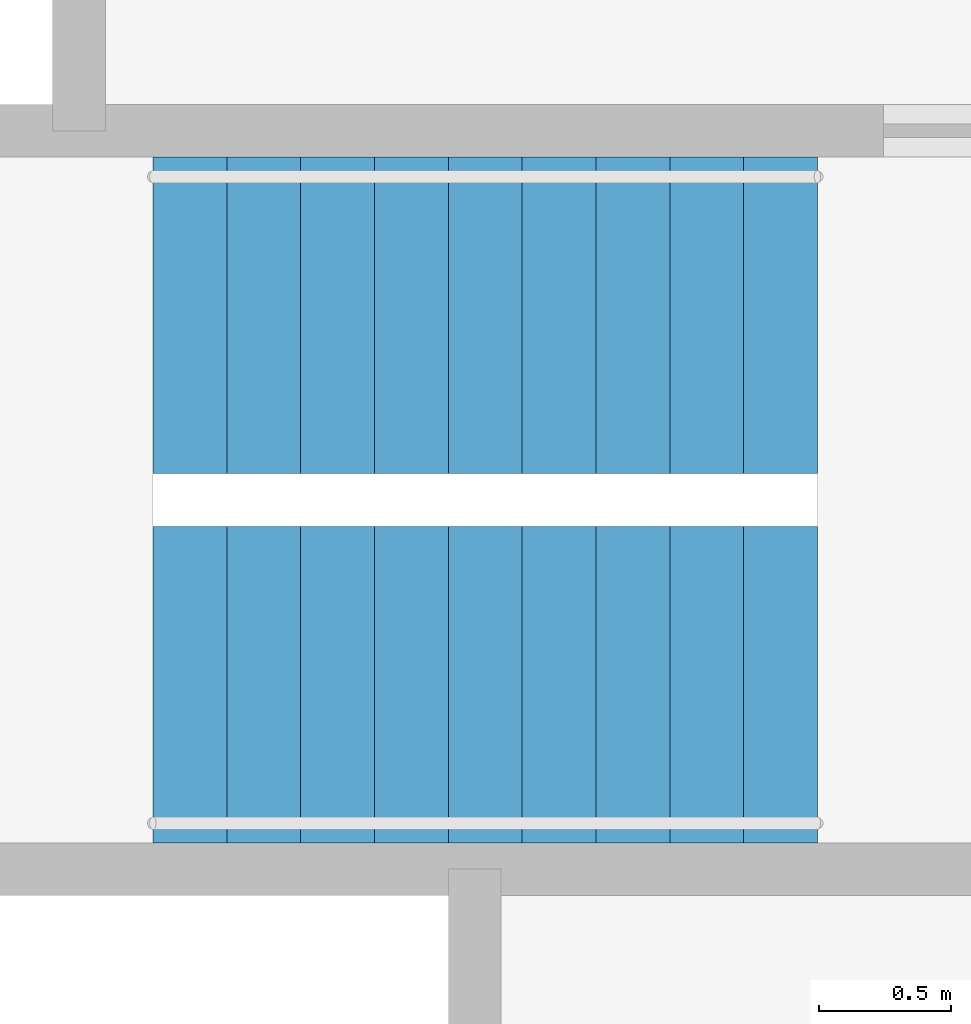
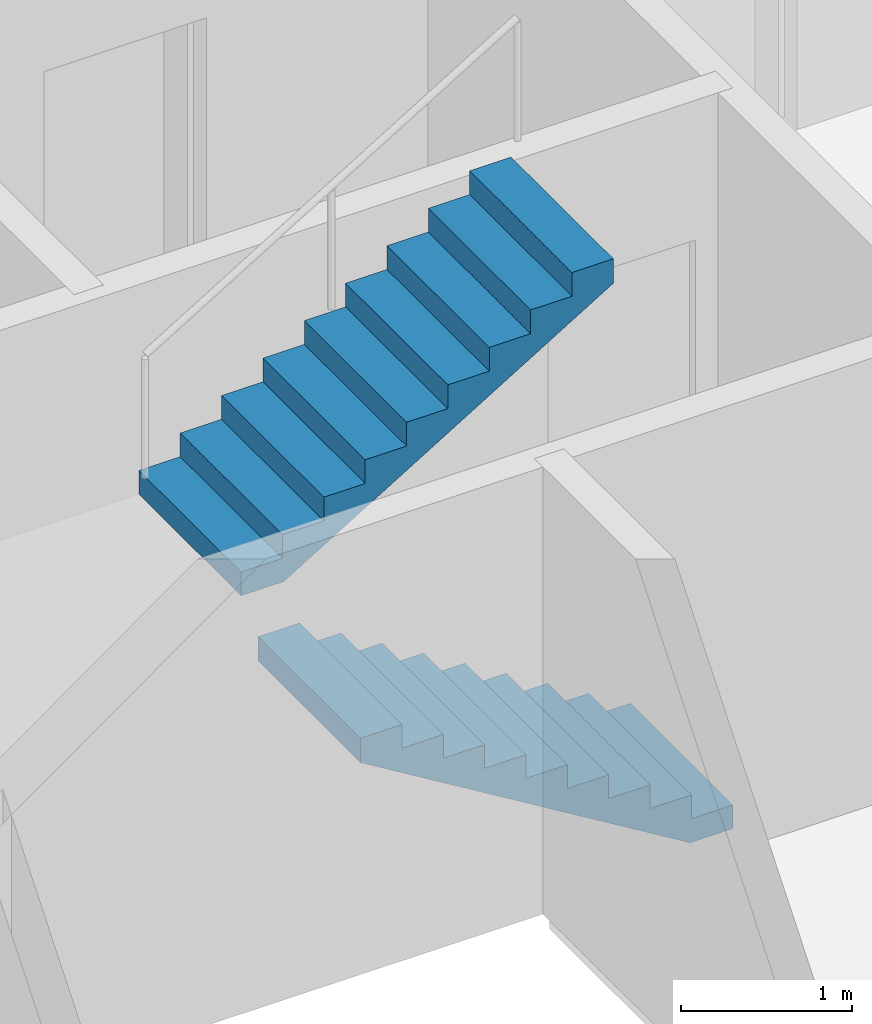
# One storey, part 16 of 20: 2 stair flights, 1 element without a shape of its own.
"""IFC4 building model written with IfcOpenShell, lengths in metres."""

from ifc_helpers import new_model, si_unit, direction, frame, origin, place, context, subcontext, project, spatial, polyline, outline, extrude, material, type_object, element, aggregate, save


model = new_model("IFC4")

# Units and contexts
model_context = context("Model", 3, precision=1e-05, world=origin(), true_north=direction((0.0, 1.0)))
body_context = subcontext(model_context, "Body", "Model", "MODEL_VIEW")
ifc_project = project(units=[si_unit("LENGTHUNIT", "METRE"), si_unit("AREAUNIT", "SQUARE_METRE"), si_unit("VOLUMEUNIT", "CUBIC_METRE"), si_unit("PLANEANGLEUNIT", "RADIAN"), si_unit("MASSUNIT", "GRAM", prefix="KILO")], contexts=[model_context])

# Site, building, storey
site_placement = place(None, origin())
site = spatial("IfcSite", under=ifc_project, at=site_placement, CompositionType="ELEMENT")
building_placement = place(site_placement, origin())
building = spatial("IfcBuilding", under=site, at=building_placement, Name="Fenwick Lantern Interchange", CompositionType="ELEMENT")
storey_placement = place(building_placement, frame((0.0, 0.0, 245.800048828125)))
storey = spatial("IfcBuildingStorey", under=building, at=storey_placement, Name="L57", CompositionType="ELEMENT", Elevation=245.800048828125)

# Stair, stair flights
ifc_material = material(Name="Precast concrete f'c 35 MPa", Category="concrete")
stair_type = type_object("IfcStairType", Name="EXIT STAIR 1200", PredefinedType="HALF_TURN_STAIR", material=ifc_material)
stair_placement = place(storey_placement, origin())
stair = element("IfcStair", 1, at=stair_placement, inside=storey, type_object=stair_type, Name="Exit stair ST2", PredefinedType="HALF_TURN_STAIR")
stair_flight_type = type_object("IfcStairFlightType", Name="STAIR FLIGHT 1200", PredefinedType="STRAIGHT", material=ifc_material)
stair_flight_1_placement = place(storey_placement, frame((28.199951171875, 30.699951171875, 0.0), z_axis=(0.0, 0.0, 1.0), x_axis=(-1.0, 0.0, 0.0)))
stair_flight_1 = element("IfcStairFlight", 2, at=stair_flight_1_placement, type_object=stair_flight_type, Name="ST2 flight 1", NumberOfRisers=10, NumberOfTreads=9, PredefinedType="STRAIGHT", RiserHeight=0.17, TreadLength=0.28, context=body_context, shape_type="SweptSolid", body=[
    extrude(outline(polyline([(0.0, 0.0), (0.0, 0.169921875), (0.280029296875, 0.169921875), (0.280029296875, 0.340087890625), (0.56005859375, 0.340087890625), (0.56005859375, 0.510009765625), (0.840087890625, 0.510009765625), (0.840087890625, 0.679931640625), (1.1201171875, 0.679931640625), (1.1201171875, 0.85009765625), (1.39990234375, 0.85009765625), (1.39990234375, 1.02001953125), (1.679931640625, 1.02001953125), (1.679931640625, 1.18994140625), (1.9599609375, 1.18994140625), (1.9599609375, 1.360107421875), (2.239990234375, 1.360107421875), (2.239990234375, 1.530029296875), (2.52001953125, 1.530029296875), (2.52001953125, 1.699951171875), (2.52001953125, 1.354736328125), (0.288818359375, 0.0), (0.0, 0.0)])), frame((0.0, 0.60009765625, 0.0), z_axis=(0.0, -1.0, 0.0), x_axis=(1.0, 0.0, 0.0)), (0.0, 0.0, 1.0), 1.199951171875),
])
stair_flight_2_placement = place(storey_placement, frame((25.679931640625, 32.10009765625, 1.699951171875), z_axis=(0.0, 0.0, 1.0), x_axis=(1.0, 0.0, 0.0)))
stair_flight_2 = element("IfcStairFlight", 3, at=stair_flight_2_placement, type_object=stair_flight_type, Name="ST2 flight 2", NumberOfRisers=10, NumberOfTreads=9, PredefinedType="STRAIGHT", RiserHeight=0.17, TreadLength=0.28, context=body_context, shape_type="SweptSolid", body=[
    extrude(outline(polyline([(0.0, 0.0), (0.0, 0.169921875), (0.280029296875, 0.169921875), (0.280029296875, 0.340087890625), (0.56005859375, 0.340087890625), (0.56005859375, 0.510009765625), (0.840087890625, 0.510009765625), (0.840087890625, 0.679931640625), (1.1201171875, 0.679931640625), (1.1201171875, 0.85009765625), (1.39990234375, 0.85009765625), (1.39990234375, 1.02001953125), (1.679931640625, 1.02001953125), (1.679931640625, 1.18994140625), (1.9599609375, 1.18994140625), (1.9599609375, 1.360107421875), (2.239990234375, 1.360107421875), (2.239990234375, 1.530029296875), (2.52001953125, 1.530029296875), (2.52001953125, 1.699951171875), (2.52001953125, 1.354736328125), (0.288818359375, 0.0), (0.0, 0.0)])), frame((0.0, 0.60009765625, 0.0), z_axis=(0.0, -1.0, 0.0), x_axis=(1.0, 0.0, 0.0)), (0.0, 0.0, 1.0), 1.199951171875),
])
aggregate(stair, [stair_flight_1, stair_flight_2])

save(model, "model.ifc")
